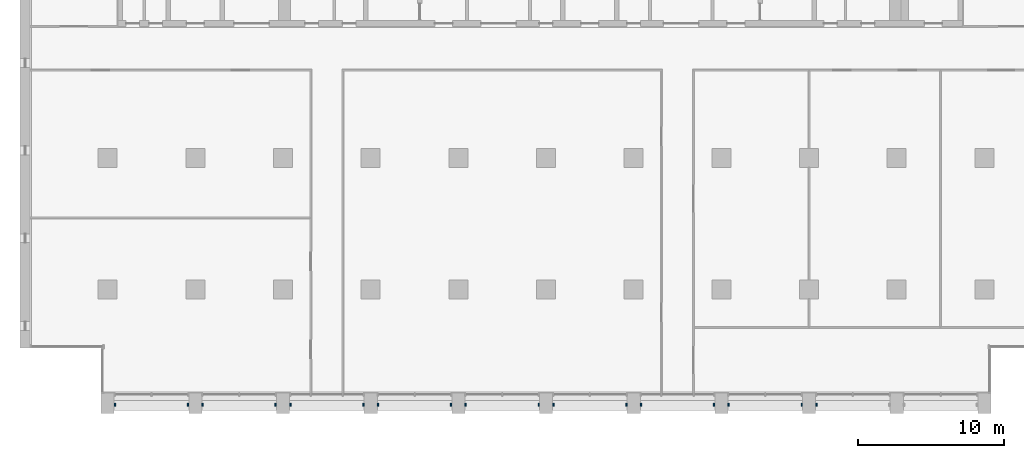
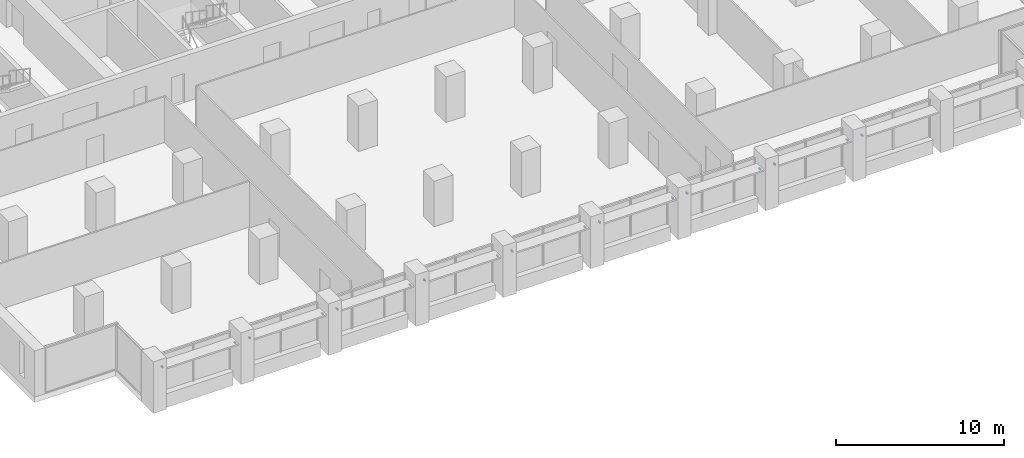
# One storey, part 13 of 15: 17 discrete accessories.
"""IFC4 building model written with IfcOpenShell, lengths in metres."""

from ifc_helpers import new_model, si_unit, direction, frame, origin, origin_2d, place, context, subcontext, project, spatial, rectangle, extrude, element, save


model = new_model("IFC4")

# Units and contexts
model_context = context("Model", 3, precision=1e-05, world=origin(), true_north=direction((0.0, 1.0)))
body_context = subcontext(model_context, "Body", "Model", "MODEL_VIEW")
ifc_project = project(units=[si_unit("LENGTHUNIT", "METRE"), si_unit("AREAUNIT", "SQUARE_METRE"), si_unit("VOLUMEUNIT", "CUBIC_METRE"), si_unit("PLANEANGLEUNIT", "RADIAN"), si_unit("MASSUNIT", "GRAM", prefix="KILO")], contexts=[model_context])

# Site, building, storey
site_placement = place(None, origin())
site = spatial("IfcSite", under=ifc_project, at=site_placement, CompositionType="ELEMENT")
building_placement = place(site_placement, origin())
building = spatial("IfcBuilding", under=site, at=building_placement, Name="Calvaro Tower", CompositionType="ELEMENT")
storey_placement = place(building_placement, frame((0.0, 0.0, 132.5)))
storey = spatial("IfcBuildingStorey", under=building, at=storey_placement, Name="L33", CompositionType="ELEMENT", Elevation=132.5)

# Discrete accessories
for number, where, z_axis, x_axis, name in (
    (1, (6.5, 2.10009765625, 2.25), (0.0, 0.0, 1.0), (1.0, 0.0, 0.0), "Brise-soleil bracket"),
    (2, (11.5, 2.10009765625, 2.25), (0.0, 0.0, 1.0), (1.0, 0.0, 0.0), "Brise-soleil bracket"),
    (3, (12.5, 2.10009765625, 2.25), (0.0, 0.0, 1.0), (1.0, 0.0, 0.0), "Brise-soleil bracket"),
    (4, (17.5, 2.10009765625, 2.25), (0.0, 0.0, 1.0), (1.0, 0.0, 0.0), "Brise-soleil bracket"),
    (5, (18.5, 2.10009765625, 2.25), (0.0, 0.0, 1.0), (1.0, 0.0, 0.0), "Brise-soleil bracket"),
    (6, (23.5, 2.10009765625, 2.25), (0.0, 0.0, 1.0), (1.0, 0.0, 0.0), "Brise-soleil bracket"),
    (7, (24.5, 2.10009765625, 2.25), (0.0, 0.0, 1.0), (1.0, 0.0, 0.0), "Brise-soleil bracket"),
    (8, (29.5, 2.10009765625, 2.25), (0.0, 0.0, 1.0), (1.0, 0.0, 0.0), "Brise-soleil bracket"),
    (9, (30.5, 2.10009765625, 2.25), (0.0, 0.0, 1.0), (1.0, 0.0, 0.0), "Brise-soleil bracket"),
    (10, (35.5, 2.10009765625, 2.25), (0.0, 0.0, 1.0), (1.0, 0.0, 0.0), "Brise-soleil bracket"),
    (11, (36.5, 2.10009765625, 2.25), (0.0, 0.0, 1.0), (1.0, 0.0, 0.0), "Brise-soleil bracket"),
    (12, (41.5, 2.10009765625, 2.25), (0.0, 0.0, 1.0), (1.0, 0.0, 0.0), "Brise-soleil bracket"),
    (13, (42.5, 2.10009765625, 2.25), (0.0, 0.0, 1.0), (1.0, 0.0, 0.0), "Brise-soleil bracket"),
    (14, (47.5, 2.10009765625, 2.25), (0.0, 0.0, 1.0), (1.0, 0.0, 0.0), "Brise-soleil bracket"),
    (15, (48.5, 2.10009765625, 2.25), (0.0, 0.0, 1.0), (1.0, 0.0, 0.0), "Brise-soleil bracket"),
    (16, (53.5, 2.10009765625, 2.25), (0.0, 0.0, 1.0), (1.0, 0.0, 0.0), "Brise-soleil bracket"),
    (17, (54.5, 2.10009765625, 2.25), (0.0, 0.0, 1.0), (1.0, 0.0, 0.0), "Brise-soleil bracket"),
):
    element("IfcDiscreteAccessory", number, at=place(storey_placement, frame(where, z_axis=z_axis, x_axis=x_axis)), inside=storey, Name=name, PredefinedType="BRACKET", context=body_context, shape_type="SweptSolid", body=[
        extrude(rectangle(XDim=0.10009765625, YDim=0.199951171875, at=origin_2d()), origin(), (0.0, 0.0, 1.0), 0.10009765625),
    ])

save(model, "model.ifc")
